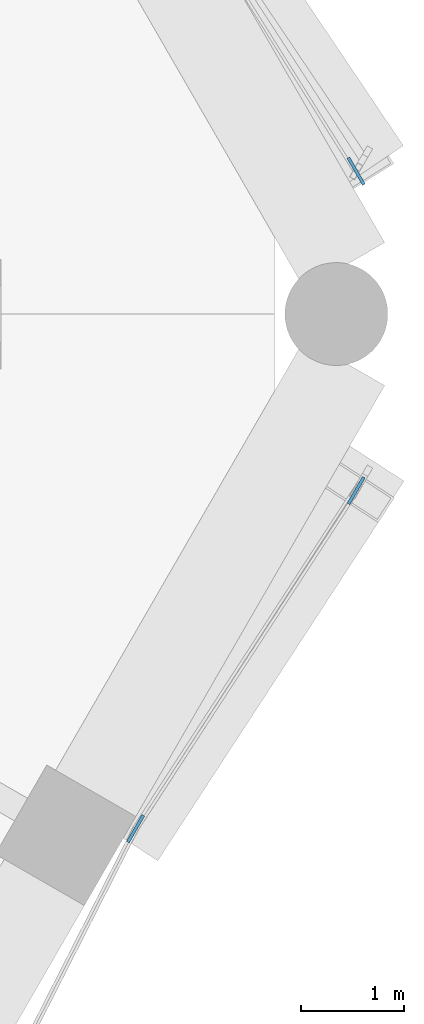
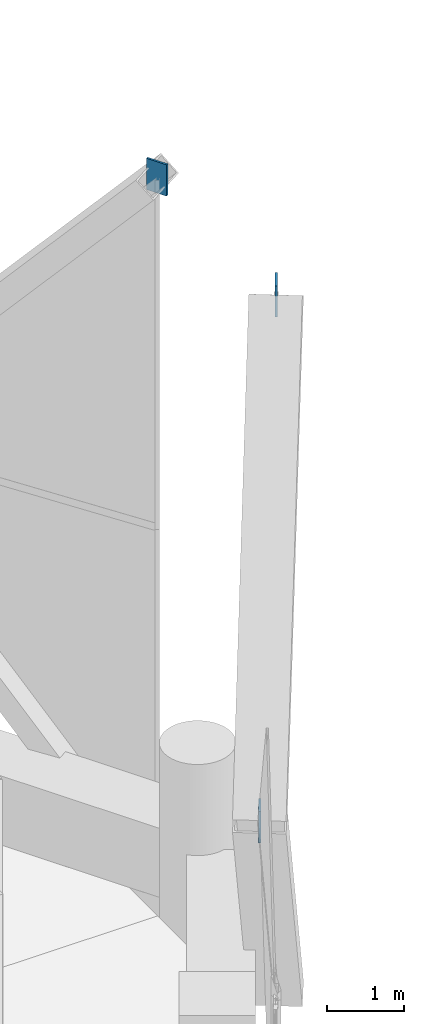
# One storey, part 34 of 37: 3 discrete accessories.
"""IFC4 building model written with IfcOpenShell, lengths in metres."""

from ifc_helpers import new_model, si_unit, direction, frame, origin, origin_2d, place, context, subcontext, project, spatial, rectangle, extrude, material, layer, layer_set, type_object, element, save


model = new_model("IFC4")

# Units and contexts
model_context = context("Model", 3, precision=1e-05, world=origin(), true_north=direction((0.0, 1.0)))
body_context = subcontext(model_context, "Body", "Model", "MODEL_VIEW")
ifc_project = project(units=[si_unit("LENGTHUNIT", "METRE"), si_unit("AREAUNIT", "SQUARE_METRE"), si_unit("VOLUMEUNIT", "CUBIC_METRE"), si_unit("PLANEANGLEUNIT", "RADIAN"), si_unit("MASSUNIT", "GRAM", prefix="KILO")], contexts=[model_context])

# Site, building, storey
site_placement = place(None, origin())
site = spatial("IfcSite", under=ifc_project, at=site_placement, CompositionType="ELEMENT")
building_placement = place(site_placement, origin())
building = spatial("IfcBuilding", under=site, at=building_placement, Name="Ostrander Bayou Hotel Tower", CompositionType="ELEMENT")
storey_placement = place(building_placement, frame((0.0, 0.0, 198.25)))
storey = spatial("IfcBuildingStorey", under=building, at=storey_placement, Name="L49", CompositionType="ELEMENT", Elevation=198.25)

# Discrete accessories
ifc_material = material(Name="Steel ASTM A572 Gr 50", Category="steel")
ifc_layer = layer(ifc_material, 0.030029296875)
ifc_layer_set = layer_set([ifc_layer], Name="GP1 gusset plate 30 mm")
discrete_accessory_type = type_object("IfcDiscreteAccessoryType", Name="GP1 gusset plate 30 mm", PredefinedType="BRACKET", material=ifc_layer_set)
for number, where, z_axis, x_axis, name in (
    (1, (18.337890625, -5.952392578125, 4.77490234375), (0.0, 0.0, 1.0), (0.5, 0.866025403784, 0.0), "GP1 gusset plate lat 313"),
    (2, (20.48193359375, -2.664306640625, 10.39990234375), (0.0, 0.0, 1.0), (0.5, 0.866025403784, 0.0), "GP1 gusset plate lat 314"),
    (3, (20.48193359375, 0.438720703125, 10.39990234375), (0.0, 0.0, 1.0), (-0.5, 0.866025403784, 0.0), "GP1 gusset plate lat 316"),
):
    element("IfcDiscreteAccessory", number, at=place(storey_placement, frame(where, z_axis=z_axis, x_axis=x_axis)), inside=storey, type_object=discrete_accessory_type, Name=name, PredefinedType="BRACKET", context=body_context, shape_type="SweptSolid", body=[
        extrude(rectangle(XDim=0.300048828125, YDim=0.030029296875, at=origin_2d()), origin(), (0.0, 0.0, 1.0), 0.5),
    ])

save(model, "model.ifc")
